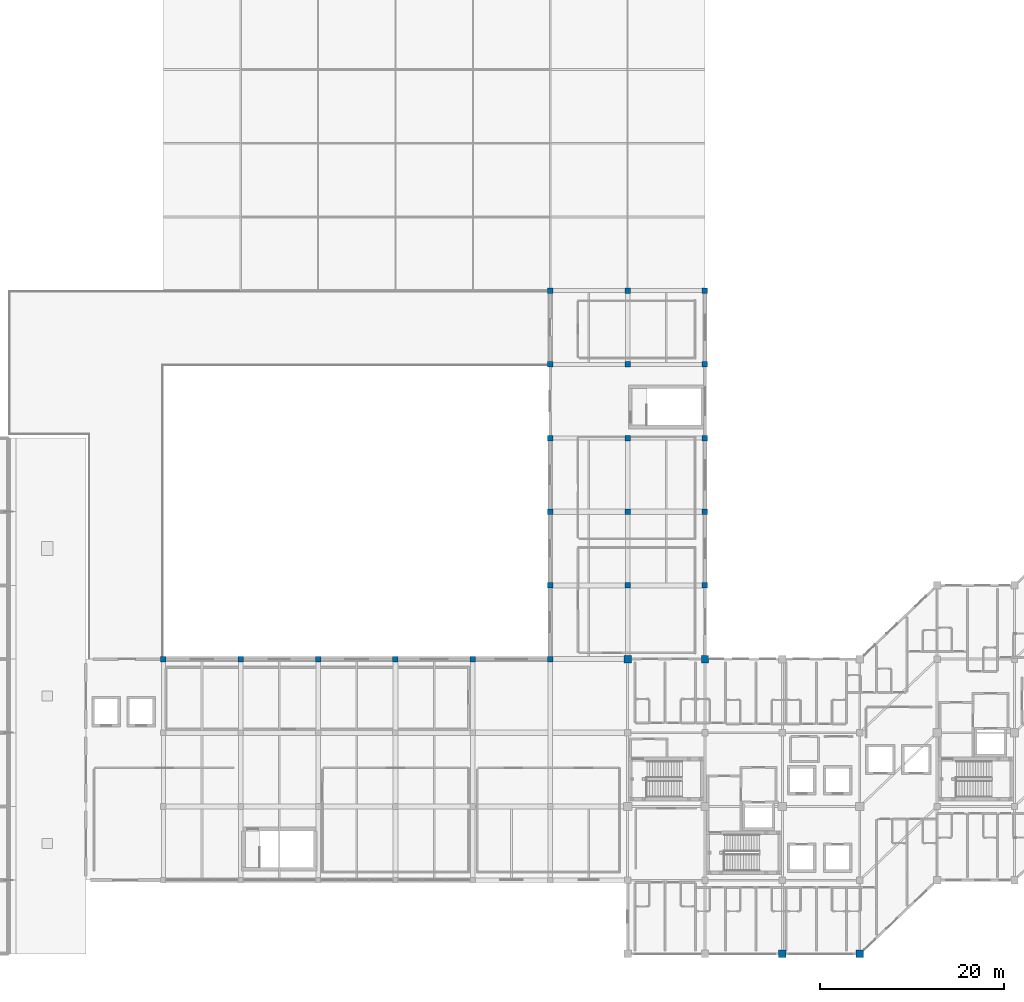
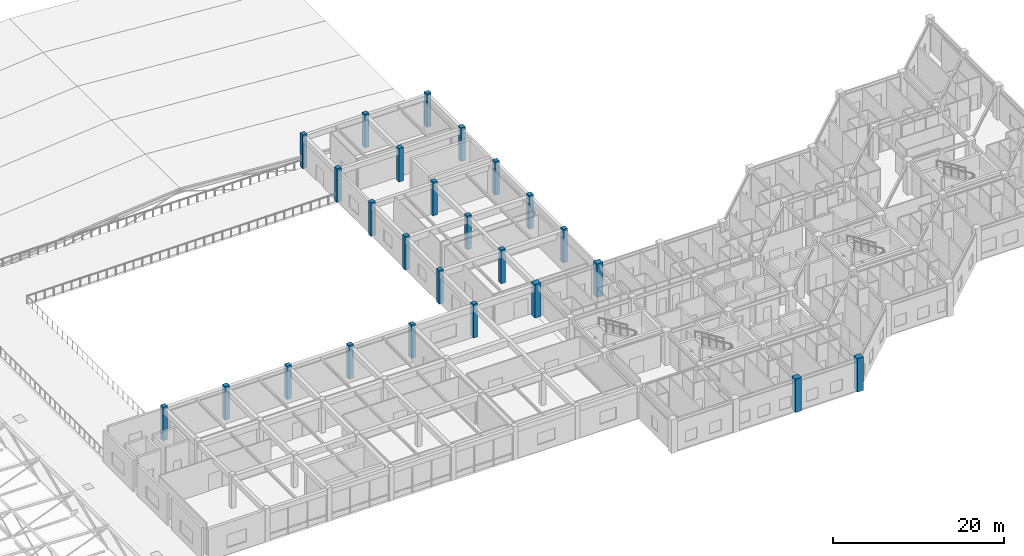
# One storey, part 3 of 37: 25 columns.
"""IFC4 building model written with IfcOpenShell, lengths in metres."""

import ifcopenshell
import ifcopenshell.guid

model = None  # the IFC model being written
_history = None  # IfcOwnerHistory: only IFC2X3 demands one
_inside = {}  # id of a spatial element -> (the spatial element, [elements in it])
_under = {}  # id of a project, library or spatial element -> (it, [spatial elements below it])
_declared = {}  # id of a project -> (the project, [libraries it declares])
_typed = {}  # id of a type object -> (the type object, [elements of that type])
_made_of = {}  # id of a material, layer set ... -> (it, [elements and type objects made of it])


def new_model(schema):
    """Start an empty IFC model of exactly this schema.

    Asked for "IFC4X3", IfcOpenShell would pick the latest addendum, in which some entities
    have other attributes; the version numbers below select the first issue.
    IFC2X3 requires an IfcOwnerHistory on every rooted entity: one is made here for all.
    """
    global model, _history
    if schema == "IFC4X3":
        model = ifcopenshell.file(schema_version=(4, 3, 0, 0))
    else:
        model = ifcopenshell.file(schema=schema)
    _inside.clear()
    _under.clear()
    _declared.clear()
    _typed.clear()
    _made_of.clear()
    _history = None
    if model.schema == "IFC2X3":
        org = make("IfcOrganization", Name="unknown")
        user = make(
            "IfcPersonAndOrganization",
            ThePerson=make("IfcPerson", FamilyName="unknown"),
            TheOrganization=org,
        )
        app = make(
            "IfcApplication",
            ApplicationDeveloper=org,
            Version="unknown",
            ApplicationFullName="unknown",
            ApplicationIdentifier="unknown",
        )
        _history = make(
            "IfcOwnerHistory",
            OwningUser=user,
            OwningApplication=app,
            ChangeAction="ADDED",
            CreationDate=0,
        )
    return model


def make(cls, **values):
    """One entity of the class cls with the attributes given. An attribute that is None is left unset."""
    return model.create_entity(
        cls, **{name: value for name, value in values.items() if value is not None}
    )


def rooted(cls, **values):
    """An entity with a GlobalId (a new one), such as an element, a storey or a relation."""
    return make(cls, GlobalId=ifcopenshell.guid.new(), OwnerHistory=_history, **values)


def si_unit(unit_type, name, prefix=None):
    """IfcSIUnit, for example si_unit("LENGTHUNIT", "METRE", prefix="MILLI")."""
    return make("IfcSIUnit", UnitType=unit_type, Prefix=prefix, Name=name)


def assignment(units):
    """IfcUnitAssignment: the units of a project."""
    return None if units is None else make("IfcUnitAssignment", Units=units)


def point(xyz):
    """IfcCartesianPoint."""
    return None if xyz is None else make("IfcCartesianPoint", Coordinates=xyz)


def direction(xyz):
    """IfcDirection."""
    return None if xyz is None else make("IfcDirection", DirectionRatios=xyz)


def frame(location, z_axis=None, x_axis=None):
    """IfcAxis2Placement3D, a coordinate frame: its origin and axes. An axis left out is left unset."""
    return make(
        "IfcAxis2Placement3D",
        Location=point(location),
        Axis=direction(z_axis),
        RefDirection=direction(x_axis),
    )


def frame_2d(location, x_axis=None):
    """IfcAxis2Placement2D, a coordinate frame in the plane: its origin and x axis."""
    return make(
        "IfcAxis2Placement2D", Location=point(location), RefDirection=direction(x_axis)
    )


def origin():
    """The frame at (0, 0, 0) with its axes left unset."""
    return frame((0.0, 0.0, 0.0))


def origin_2d():
    """The frame at (0, 0) in the plane with its x axis left unset."""
    return frame_2d((0.0, 0.0))


def place(relative_to, where):
    """IfcLocalPlacement: puts the frame where relative to a parent placement (None: the world)."""
    return make(
        "IfcLocalPlacement", PlacementRelTo=relative_to, RelativePlacement=where
    )


def context(
    kind, dimensions, precision=None, world=None, true_north=None, identifier=None
):
    """IfcGeometricRepresentationContext, for example the 3D "Model" context."""
    return make(
        "IfcGeometricRepresentationContext",
        ContextIdentifier=identifier,
        ContextType=kind,
        CoordinateSpaceDimension=dimensions,
        Precision=precision,
        WorldCoordinateSystem=world,
        TrueNorth=true_north,
    )


def subcontext(parent, identifier, kind, view, scale=None):
    """IfcGeometricRepresentationSubContext, for example "Body" below "Model"."""
    return make(
        "IfcGeometricRepresentationSubContext",
        ContextIdentifier=identifier,
        ContextType=kind,
        ParentContext=parent,
        TargetScale=scale,
        TargetView=view,
    )


def project(units=None, contexts=None):
    """IfcProject with its units and contexts."""
    return rooted(
        "IfcProject",
        Name="project",
        RepresentationContexts=contexts,
        UnitsInContext=assignment(units),
    )


def spatial(cls, under=None, at=None, **own):
    """A site, building, storey or space (cls), placed at a placement, below another one or the project."""
    s = rooted(cls, ObjectPlacement=at, **own)
    if under is not None:
        _under.setdefault(under.id(), (under, []))[1].append(s)
    return s


def profile(cls, at=None, kind="AREA", **sizes):
    """A parametric profile (cls). Its sizes go by their IFC names, for example OverallWidth=200.0."""
    return make(cls, ProfileType=kind, Position=at, **sizes)


def rectangle(**sizes):
    """IfcRectangleProfileDef."""
    return profile("IfcRectangleProfileDef", **sizes)


def extrude(swept, where, along, depth):
    """IfcExtrudedAreaSolid: the profile swept, set in the frame where, extruded along a direction by depth."""
    return make(
        "IfcExtrudedAreaSolid",
        SweptArea=swept,
        Position=where,
        ExtrudedDirection=direction(along),
        Depth=depth,
    )


def shape(context_of_items, identifier, shape_type, items):
    """IfcShapeRepresentation: the items that make up one representation, for example the "Body"."""
    return make(
        "IfcShapeRepresentation",
        ContextOfItems=context_of_items,
        RepresentationIdentifier=identifier,
        RepresentationType=shape_type,
        Items=items,
    )


def material(Name=None, Category=None):
    """IfcMaterial."""
    return make("IfcMaterial", Name=Name, Category=Category)


def material_profile(
    of_material, cross_section, Name=None, Category=None, Priority=None
):
    """IfcMaterialProfile: a cross section and its material."""
    return make(
        "IfcMaterialProfile",
        Name=Name,
        Material=of_material,
        Profile=cross_section,
        Priority=Priority,
        Category=Category,
    )


def profile_set(profiles, Name=None, composite=None):
    """IfcMaterialProfileSet."""
    return make(
        "IfcMaterialProfileSet",
        Name=Name,
        MaterialProfiles=profiles,
        CompositeProfile=composite,
    )


def made_of(thing, what):
    """Note that an element or type object is made of a material, layer set ...; save() writes the relation."""
    if what is not None:
        _made_of.setdefault(what.id(), (what, []))[1].append(thing)
    return thing


def type_object(cls, material=None, **own):
    """A type object (cls), such as IfcWallType, which elements share."""
    return made_of(rooted(cls, **own), material)


def element(
    cls,
    number,
    at=None,
    inside=None,
    cuts=None,
    type_object=None,
    material=None,
    context=None,
    identifier="Body",
    shape_type=None,
    held_by="IfcProductDefinitionShape",
    body=None,
    shapes=None,
    **own,
):
    """One element of the class cls, such as IfcWall. Its Tag is "e" and its number.

    at: its placement. inside: the storey or other place that contains it. cuts: it is an
    opening in that element (IfcRelVoidsElement). A single representation is given by context,
    identifier, shape_type and body (its items); several are given by shapes. held_by: the class
    of the entity that holds the representations. save() writes the other relations.
    """
    e = rooted(cls, Tag="e%d" % number, ObjectPlacement=at, **own)
    if body is not None:
        shapes = [shape(context, identifier, shape_type, body)]
    if shapes is not None:
        e.Representation = make(held_by, Representations=shapes)
    if inside is not None:
        _inside.setdefault(inside.id(), (inside, []))[1].append(e)
    if cuts is not None:
        rooted(
            "IfcRelVoidsElement", RelatingBuildingElement=cuts, RelatedOpeningElement=e
        )
    if type_object is not None:
        _typed.setdefault(type_object.id(), (type_object, []))[1].append(e)
    return made_of(e, material)


def aggregate(whole, parts):
    """IfcRelAggregates: a whole, such as a stair, and the parts it consists of."""
    return rooted("IfcRelAggregates", RelatingObject=whole, RelatedObjects=parts)


def save(model, path):
    """Write the relations noted so far, then the file.

    IfcRelAggregates (storeys below a building ...), IfcRelContainedInSpatialStructure (elements
    in a storey), IfcRelDefinesByType, IfcRelAssociatesMaterial and IfcRelDeclares: one each for
    every whole, place, type object, material and project.
    """
    for whole, parts in _under.values():
        aggregate(whole, parts)
    for where, things in _inside.values():
        rooted(
            "IfcRelContainedInSpatialStructure",
            RelatedElements=things,
            RelatingStructure=where,
        )
    for kind, things in _typed.values():
        rooted("IfcRelDefinesByType", RelatedObjects=things, RelatingType=kind)
    for what, things in _made_of.values():
        rooted("IfcRelAssociatesMaterial", RelatedObjects=things, RelatingMaterial=what)
    for by, libraries in _declared.values():
        rooted("IfcRelDeclares", RelatingContext=by, RelatedDefinitions=libraries)
    model.write(path)


model = new_model("IFC4")

# Units and contexts
model_context = context("Model", 3, precision=1e-05, world=origin(), true_north=direction((0.0, 1.0)))
body_context = subcontext(model_context, "Body", "Model", "MODEL_VIEW")
ifc_project = project(units=[si_unit("LENGTHUNIT", "METRE"), si_unit("AREAUNIT", "SQUARE_METRE"), si_unit("VOLUMEUNIT", "CUBIC_METRE"), si_unit("PLANEANGLEUNIT", "RADIAN"), si_unit("MASSUNIT", "GRAM", prefix="KILO")], contexts=[model_context])

# Site, building, storey
site_placement = place(None, origin())
site = spatial("IfcSite", under=ifc_project, at=site_placement, CompositionType="ELEMENT")
building_placement = place(site_placement, origin())
building = spatial("IfcBuilding", under=site, at=building_placement, Name="Naruveol Harbour Congress Hotel", CompositionType="ELEMENT")
storey_placement = place(building_placement, frame((0.0, 0.0, 16.199951171875)))
storey = spatial("IfcBuildingStorey", under=building, at=storey_placement, Name="L03", CompositionType="ELEMENT", Elevation=16.199951171875)

# Columns
ifc_material_1 = material(Name="Concrete C50/60", Category="concrete")
ifc_material_profile_1 = material_profile(ifc_material_1, rectangle(XDim=0.800048828125, YDim=0.800048828125, at=origin_2d()), Name="RC-800x800")
ifc_profile_set_1 = profile_set([ifc_material_profile_1], Name="Concrete C50/60")
column_type_1 = type_object("IfcColumnType", Name="RC PODIUM COLUMN 800X800", PredefinedType="COLUMN", material=ifc_profile_set_1)
for number, where, z_axis, x_axis, name in (
    (1, (117.60009765625, 32.0, 0.0), (0.0, 0.0, 1.0), (1.0, 0.0, 0.0), "Column C-800 L03 (117.6,32.0)"),
    (2, (126.0, 32.0, 0.0), (0.0, 0.0, 1.0), (1.0, 0.0, 0.0), "Column C-800 L03 (126.0,32.0)"),
    (3, (134.39990234375, 0.0, 0.0), (0.0, 0.0, 1.0), (1.0, 0.0, 0.0), "Column C-800 L03 (134.4,0.0)"),
    (4, (142.800048828125, 0.0, 0.0), (0.0, 0.0, 1.0), (1.0, 0.0, 0.0), "Column C-800 L03 (142.8,0.0)"),
):
    element("IfcColumn", number, at=place(storey_placement, frame(where, z_axis=z_axis, x_axis=x_axis)), inside=storey, type_object=column_type_1, Name=name, PredefinedType="COLUMN", context=body_context, shape_type="SweptSolid", body=[
        extrude(rectangle(XDim=0.800048828125, YDim=0.800048828125, at=origin_2d()), origin(), (0.0, 0.0, 1.0), 4.800048828125),
    ])
ifc_material_2 = material(Name="Concrete C40/50", Category="concrete")
ifc_material_profile_2 = material_profile(ifc_material_2, rectangle(XDim=0.60009765625, YDim=0.60009765625, at=origin_2d()), Name="RC-600x600")
ifc_profile_set_2 = profile_set([ifc_material_profile_2], Name="Concrete C40/50")
column_type_2 = type_object("IfcColumnType", Name="RC UPPER COLUMN 600X600", PredefinedType="COLUMN", material=ifc_profile_set_2)
for number, where, z_axis, x_axis, name in (
    (5, (67.199951171875, 32.0, 0.0), (0.0, 0.0, 1.0), (1.0, 0.0, 0.0), "Column C-600 L03 (67.2,32.0)"),
    (6, (75.60009765625, 32.0, 0.0), (0.0, 0.0, 1.0), (1.0, 0.0, 0.0), "Column C-600 L03 (75.6,32.0)"),
    (7, (84.0, 32.0, 0.0), (0.0, 0.0, 1.0), (1.0, 0.0, 0.0), "Column C-600 L03 (84.0,32.0)"),
    (8, (92.39990234375, 32.0, 0.0), (0.0, 0.0, 1.0), (1.0, 0.0, 0.0), "Column C-600 L03 (92.4,32.0)"),
    (9, (100.800048828125, 32.0, 0.0), (0.0, 0.0, 1.0), (1.0, 0.0, 0.0), "Column C-600 L03 (100.8,32.0)"),
    (10, (109.199951171875, 32.0, 0.0), (0.0, 0.0, 1.0), (1.0, 0.0, 0.0), "Column C-600 L03 (109.2,32.0)"),
    (11, (109.199951171875, 40.0, 0.0), (0.0, 0.0, 1.0), (1.0, 0.0, 0.0), "Column C-600 L03 (109.2,40.0)"),
    (12, (109.199951171875, 48.0, 0.0), (0.0, 0.0, 1.0), (1.0, 0.0, 0.0), "Column C-600 L03 (109.2,48.0)"),
    (13, (109.199951171875, 56.0, 0.0), (0.0, 0.0, 1.0), (1.0, 0.0, 0.0), "Column C-600 L03 (109.2,56.0)"),
    (14, (109.199951171875, 64.0, 0.0), (0.0, 0.0, 1.0), (1.0, 0.0, 0.0), "Column C-600 L03 (109.2,64.0)"),
    (15, (109.199951171875, 72.0, 0.0), (0.0, 0.0, 1.0), (1.0, 0.0, 0.0), "Column C-600 L03 (109.2,72.0)"),
    (16, (117.60009765625, 40.0, 0.0), (0.0, 0.0, 1.0), (1.0, 0.0, 0.0), "Column C-600 L03 (117.6,40.0)"),
    (17, (117.60009765625, 48.0, 0.0), (0.0, 0.0, 1.0), (1.0, 0.0, 0.0), "Column C-600 L03 (117.6,48.0)"),
    (18, (117.60009765625, 56.0, 0.0), (0.0, 0.0, 1.0), (1.0, 0.0, 0.0), "Column C-600 L03 (117.6,56.0)"),
    (19, (117.60009765625, 64.0, 0.0), (0.0, 0.0, 1.0), (1.0, 0.0, 0.0), "Column C-600 L03 (117.6,64.0)"),
    (20, (117.60009765625, 72.0, 0.0), (0.0, 0.0, 1.0), (1.0, 0.0, 0.0), "Column C-600 L03 (117.6,72.0)"),
    (21, (126.0, 40.0, 0.0), (0.0, 0.0, 1.0), (1.0, 0.0, 0.0), "Column C-600 L03 (126.0,40.0)"),
    (22, (126.0, 48.0, 0.0), (0.0, 0.0, 1.0), (1.0, 0.0, 0.0), "Column C-600 L03 (126.0,48.0)"),
    (23, (126.0, 56.0, 0.0), (0.0, 0.0, 1.0), (1.0, 0.0, 0.0), "Column C-600 L03 (126.0,56.0)"),
    (24, (126.0, 64.0, 0.0), (0.0, 0.0, 1.0), (1.0, 0.0, 0.0), "Column C-600 L03 (126.0,64.0)"),
    (25, (126.0, 72.0, 0.0), (0.0, 0.0, 1.0), (1.0, 0.0, 0.0), "Column C-600 L03 (126.0,72.0)"),
):
    element("IfcColumn", number, at=place(storey_placement, frame(where, z_axis=z_axis, x_axis=x_axis)), inside=storey, type_object=column_type_2, Name=name, PredefinedType="COLUMN", context=body_context, shape_type="SweptSolid", body=[
        extrude(rectangle(XDim=0.60009765625, YDim=0.60009765625, at=origin_2d()), origin(), (0.0, 0.0, 1.0), 4.800048828125),
    ])

save(model, "model.ifc")
